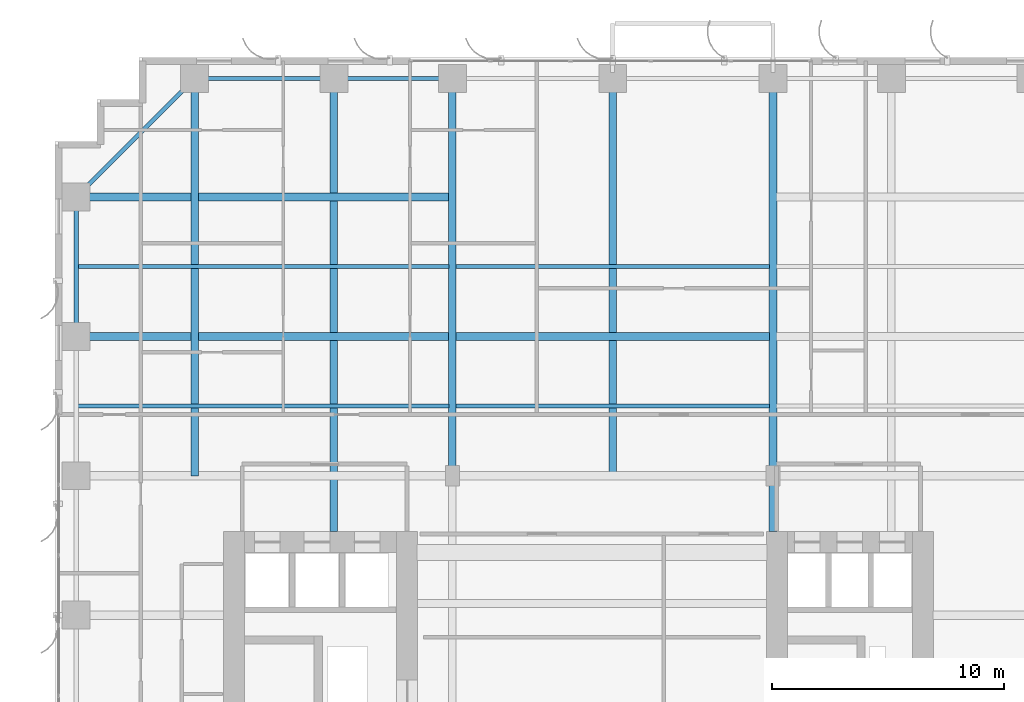
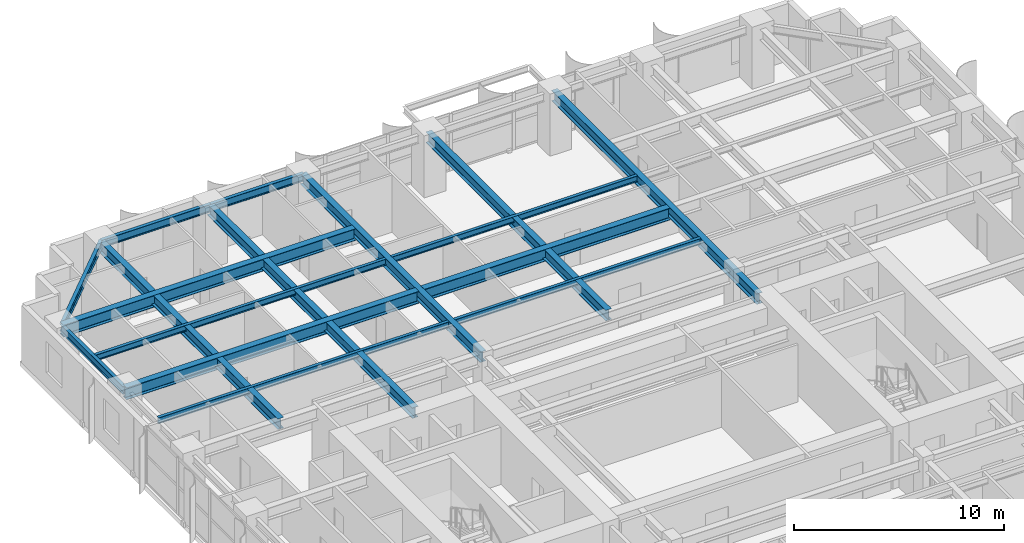
# One storey, part 11 of 25: 16 beams.
"""IFC4 building model written with IfcOpenShell, lengths in metres."""

from ifc_helpers import new_model, si_unit, direction, frame, origin, origin_2d, place, context, subcontext, project, spatial, i_section, extrude, source, transform, mapped, material, material_profile, profile_set, type_object, element, save


model = new_model("IFC4")

# Units and contexts
model_context = context("Model", 3, precision=1e-05, world=origin(), true_north=direction((0.0, 1.0)))
body_context = subcontext(model_context, "Body", "Model", "MODEL_VIEW")
ifc_project = project(units=[si_unit("LENGTHUNIT", "METRE"), si_unit("AREAUNIT", "SQUARE_METRE"), si_unit("VOLUMEUNIT", "CUBIC_METRE"), si_unit("PLANEANGLEUNIT", "RADIAN"), si_unit("MASSUNIT", "GRAM", prefix="KILO")], contexts=[model_context])

# Site, building, storey
site_placement = place(None, origin())
site = spatial("IfcSite", under=ifc_project, at=site_placement, CompositionType="ELEMENT")
building_placement = place(site_placement, origin())
building = spatial("IfcBuilding", under=site, at=building_placement, Name="Khoralis Quay Care Tower", CompositionType="ELEMENT")
storey_placement = place(building_placement, frame((0.0, 0.0, 65.699951171875)))
storey = spatial("IfcBuildingStorey", under=building, at=storey_placement, Name="L17", CompositionType="ELEMENT", Elevation=65.699951171875)

# Beams
ifc_material = material(Name="Steel S355", Category="steel")
ifc_material_profile_1 = material_profile(ifc_material, i_section(OverallWidth=0.18994140625, OverallDepth=0.449951171875, WebThickness=0.009521484375, FlangeThickness=0.0146484375, FilletRadius=0.02099609375, at=origin_2d()), Name="Steel S355")
ifc_profile_set_1 = profile_set([ifc_material_profile_1], Name="Steel S355")
beam_type_1 = type_object("IfcBeamType", Name="BM-IPE450", PredefinedType="SPANDREL", material=ifc_profile_set_1)
shared_shape_1 = source(origin(), body_context, "Body", "SweptSolid", [
    extrude(i_section(OverallWidth=0.18994140625, OverallDepth=0.449951171875, WebThickness=0.009521484375, FlangeThickness=0.0146484375, FilletRadius=0.02099609375, at=origin_2d()), origin(), (0.0, 0.0, 1.0), 6.0),
])
for number, where, z_axis, x_axis, name in (
    (1, (6.0, 47.10009765625, 3.094970703125), (1.0, 0.0, 0.0), (0.0, 1.0, 0.0), "BM-TSP-L17-07"),
    (2, (0.89990234375, 36.0, 3.094970703125), (0.0, 1.0, 0.0), (-1.0, 0.0, 0.0), "BM-TSP-L17-18"),
):
    element("IfcBeam", number, at=place(storey_placement, frame(where, z_axis=z_axis, x_axis=x_axis)), inside=storey, type_object=beam_type_1, Name=name, PredefinedType="SPANDREL", context=body_context, shape_type="MappedRepresentation", body=[
        mapped(shared_shape_1, transform((0.0, 0.0, 0.0), scale=1.0)),
    ])
shared_shape_2 = source(origin(), body_context, "Body", "SweptSolid", [
    extrude(i_section(OverallWidth=0.18994140625, OverallDepth=0.449951171875, WebThickness=0.009521484375, FlangeThickness=0.0146484375, FilletRadius=0.02099609375, at=origin_2d()), origin(), (0.0, 0.0, 1.0), 5.10009765625),
])
beam_1_placement = place(storey_placement, frame((12.0, 47.10009765625, 3.094970703125), z_axis=(1.0, 0.0, 0.0), x_axis=(0.0, 1.0, 0.0)))
element("IfcBeam", 3, at=beam_1_placement, inside=storey, type_object=beam_type_1, Name="BM-TSP-L17-08", PredefinedType="SPANDREL", context=body_context, shape_type="MappedRepresentation", body=[
    mapped(shared_shape_2, transform((0.0, 0.0, 0.0), scale=1.0)),
])
shared_shape_3 = source(origin(), body_context, "Body", "SweptSolid", [
    extrude(i_section(OverallWidth=0.18994140625, OverallDepth=0.449951171875, WebThickness=0.009521484375, FlangeThickness=0.0146484375, FilletRadius=0.02099609375, at=origin_2d()), origin(), (0.0, 0.0, 1.0), 7.212646484375),
])
beam_2_placement = place(storey_placement, frame((6.0, 47.10009765625, 3.094970703125), z_axis=(-0.707106781187, -0.707106781187, 0.0), x_axis=(0.707106781187, -0.707106781187, 0.0)))
element("IfcBeam", 4, at=beam_2_placement, inside=storey, type_object=beam_type_1, Name="BM-TCR-L17-27", PredefinedType="SPANDREL", context=body_context, shape_type="MappedRepresentation", body=[
    mapped(shared_shape_3, transform((0.0, 0.0, 0.0), scale=1.0)),
])
ifc_material_profile_2 = material_profile(ifc_material, i_section(OverallWidth=0.35498046875, OverallDepth=0.695068359375, WebThickness=0.015380859375, FlangeThickness=0.02490234375, FilletRadius=0.02001953125, at=origin_2d()), Name="Steel S355")
ifc_profile_set_2 = profile_set([ifc_material_profile_2], Name="Steel S355")
beam_type_2 = type_object("IfcBeamType", Name="BM-W690X217", PredefinedType="BEAM", material=ifc_profile_set_2)
shared_shape_4 = source(origin(), body_context, "Body", "SweptSolid", [
    extrude(i_section(OverallWidth=0.35498046875, OverallDepth=0.695068359375, WebThickness=0.015380859375, FlangeThickness=0.02490234375, FilletRadius=0.02001953125, at=origin_2d()), origin(), (0.0, 0.0, 1.0), 16.049560546875),
])
for number, where, z_axis, x_axis, name in (
    (5, (0.89990234375, 36.0, 2.97265625), (1.0, 0.0, 0.0), (0.0, 1.0, 0.0), "BM-TGXW-L17-360"),
    (6, (0.89990234375, 42.0, 2.97265625), (1.0, 0.0, 0.0), (0.0, 1.0, 0.0), "BM-TGXW-L17-420"),
):
    element("IfcBeam", number, at=place(storey_placement, frame(where, z_axis=z_axis, x_axis=x_axis)), inside=storey, type_object=beam_type_2, Name=name, PredefinedType="BEAM", context=body_context, shape_type="MappedRepresentation", body=[
        mapped(shared_shape_4, transform((0.0, 0.0, 0.0), scale=1.0)),
    ])
shared_shape_5 = source(origin(), body_context, "Body", "SweptSolid", [
    extrude(i_section(OverallWidth=0.35498046875, OverallDepth=0.695068359375, WebThickness=0.015380859375, FlangeThickness=0.02490234375, FilletRadius=0.02001953125, at=origin_2d()), origin(), (0.0, 0.0, 1.0), 13.4990234375),
])
beam_3_placement = place(storey_placement, frame((17.25048828125, 36.0, 2.97265625), z_axis=(1.0, 0.0, 0.0), x_axis=(0.0, 1.0, 0.0)))
element("IfcBeam", 7, at=beam_3_placement, inside=storey, type_object=beam_type_2, Name="BM-TGCC-L17-360", PredefinedType="BEAM", context=body_context, shape_type="MappedRepresentation", body=[
    mapped(shared_shape_5, transform((0.0, 0.0, 0.0), scale=1.0)),
])
ifc_material_profile_3 = material_profile(ifc_material, i_section(OverallWidth=0.324951171875, OverallDepth=0.615966796875, WebThickness=0.013916015625, FlangeThickness=0.021484375, FilletRadius=0.01806640625, at=origin_2d()), Name="Steel S355")
ifc_profile_set_3 = profile_set([ifc_material_profile_3], Name="Steel S355")
beam_type_3 = type_object("IfcBeamType", Name="BM-W610X174", PredefinedType="BEAM", material=ifc_profile_set_3)
shared_shape_6 = source(origin(), body_context, "Body", "SweptSolid", [
    extrude(i_section(OverallWidth=0.324951171875, OverallDepth=0.615966796875, WebThickness=0.013916015625, FlangeThickness=0.021484375, FilletRadius=0.01806640625, at=origin_2d()), origin(), (0.0, 0.0, 1.0), 17.10009765625),
])
for number, where, z_axis, x_axis, name in (
    (8, (6.0, 30.0, 3.011962890625), (0.0, 1.0, 0.0), (-1.0, 0.0, 0.0), "BM-TGYN-L17-60"),
    (9, (17.10009765625, 30.0, 3.011962890625), (0.0, 1.0, 0.0), (-1.0, 0.0, 0.0), "BM-TGYN-L17-171"),
    (10, (24.0, 30.0, 3.011962890625), (0.0, 1.0, 0.0), (-1.0, 0.0, 0.0), "BM-TGYN-L17-240"),
):
    element("IfcBeam", number, at=place(storey_placement, frame(where, z_axis=z_axis, x_axis=x_axis)), inside=storey, type_object=beam_type_3, Name=name, PredefinedType="BEAM", context=body_context, shape_type="MappedRepresentation", body=[
        mapped(shared_shape_6, transform((0.0, 0.0, 0.0), scale=1.0)),
    ])
shared_shape_7 = source(origin(), body_context, "Body", "SweptSolid", [
    extrude(i_section(OverallWidth=0.324951171875, OverallDepth=0.615966796875, WebThickness=0.013916015625, FlangeThickness=0.021484375, FilletRadius=0.01806640625, at=origin_2d()), origin(), (0.0, 0.0, 1.0), 19.502197265625),
])
for number, where, z_axis, x_axis, name in (
    (11, (12.0, 27.597900390625, 3.011962890625), (0.0, 1.0, 0.0), (-1.0, 0.0, 0.0), "BM-TGYN-L17-120"),
    (12, (30.89990234375, 27.597900390625, 3.011962890625), (0.0, 1.0, 0.0), (-1.0, 0.0, 0.0), "BM-TGYN-L17-309"),
):
    element("IfcBeam", number, at=place(storey_placement, frame(where, z_axis=z_axis, x_axis=x_axis)), inside=storey, type_object=beam_type_3, Name=name, PredefinedType="BEAM", context=body_context, shape_type="MappedRepresentation", body=[
        mapped(shared_shape_7, transform((0.0, 0.0, 0.0), scale=1.0)),
    ])
ifc_material_profile_4 = material_profile(ifc_material, i_section(OverallWidth=0.1708984375, OverallDepth=0.35498046875, WebThickness=0.007080078125, FlangeThickness=0.01171875, FilletRadius=0.012939453125, at=origin_2d()), Name="Steel S355")
ifc_profile_set_4 = profile_set([ifc_material_profile_4], Name="Steel S355")
beam_type_4 = type_object("IfcBeamType", Name="BM-W360X51", PredefinedType="JOIST", material=ifc_profile_set_4)
shared_shape_8 = source(origin(), body_context, "Body", "SweptSolid", [
    extrude(i_section(OverallWidth=0.1708984375, OverallDepth=0.35498046875, WebThickness=0.007080078125, FlangeThickness=0.01171875, FilletRadius=0.012939453125, at=origin_2d()), origin(), (0.0, 0.0, 1.0), 15.968505859375),
])
for number, where, z_axis, x_axis, name in (
    (13, (0.98095703125, 33.0, 3.142578125), (1.0, 0.0, 0.0), (0.0, 1.0, 0.0), "BM-TJS-L17-32"),
    (14, (0.98095703125, 39.0, 3.142578125), (1.0, 0.0, 0.0), (0.0, 1.0, 0.0), "BM-TJS-L17-35"),
):
    element("IfcBeam", number, at=place(storey_placement, frame(where, z_axis=z_axis, x_axis=x_axis)), inside=storey, type_object=beam_type_4, Name=name, PredefinedType="JOIST", context=body_context, shape_type="MappedRepresentation", body=[
        mapped(shared_shape_8, transform((0.0, 0.0, 0.0), scale=1.0)),
    ])
shared_shape_9 = source(origin(), body_context, "Body", "SweptSolid", [
    extrude(i_section(OverallWidth=0.1708984375, OverallDepth=0.35498046875, WebThickness=0.007080078125, FlangeThickness=0.01171875, FilletRadius=0.012939453125, at=origin_2d()), origin(), (0.0, 0.0, 1.0), 13.4990234375),
])
for number, where, z_axis, x_axis, name in (
    (15, (17.25048828125, 33.0, 3.142578125), (1.0, 0.0, 0.0), (0.0, 1.0, 0.0), "BM-TJS-L17-34"),
    (16, (17.25048828125, 39.0, 3.142578125), (1.0, 0.0, 0.0), (0.0, 1.0, 0.0), "BM-TJS-L17-37"),
):
    element("IfcBeam", number, at=place(storey_placement, frame(where, z_axis=z_axis, x_axis=x_axis)), inside=storey, type_object=beam_type_4, Name=name, PredefinedType="JOIST", context=body_context, shape_type="MappedRepresentation", body=[
        mapped(shared_shape_9, transform((0.0, 0.0, 0.0), scale=1.0)),
    ])

save(model, "model.ifc")
